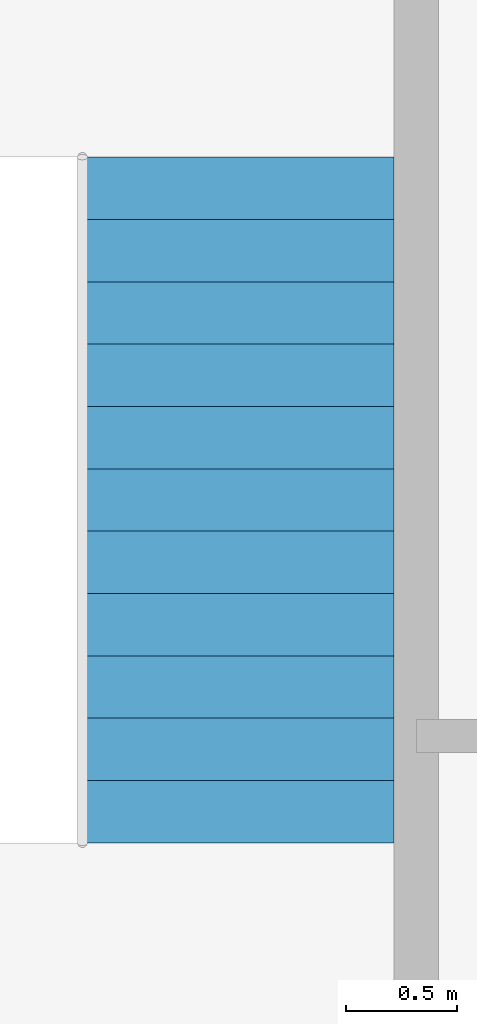
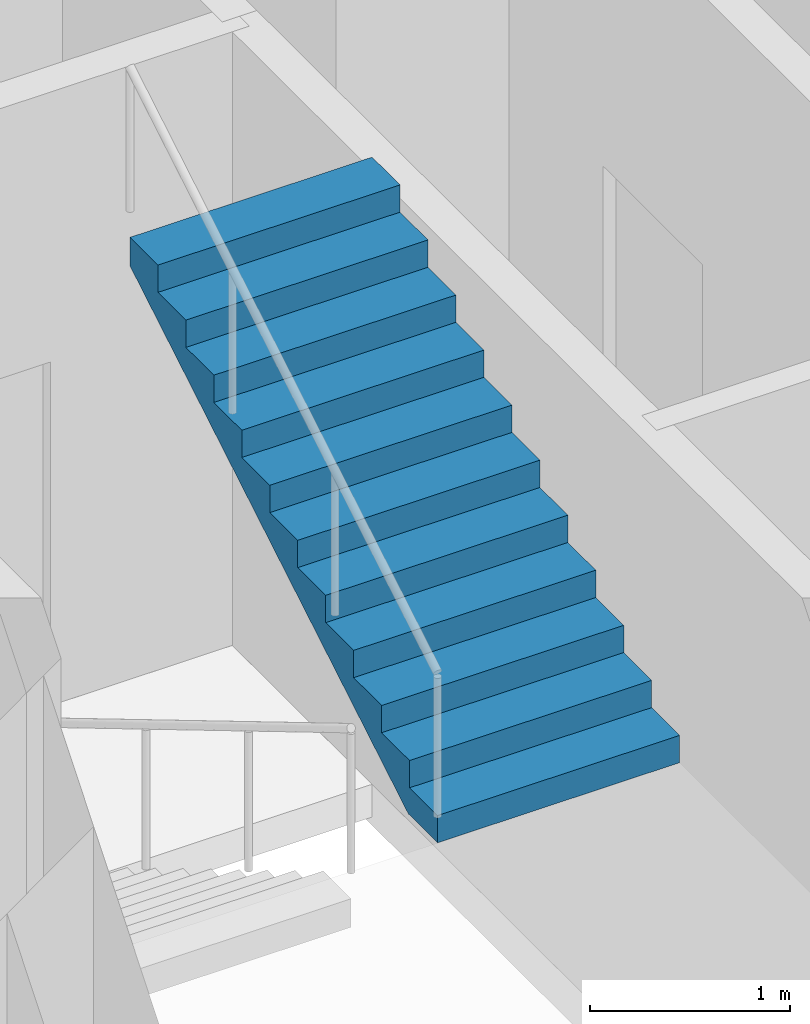
# One storey, part 13 of 18: 1 stair flight, 1 element without a shape of its own.
"""IFC4 building model written with IfcOpenShell, lengths in metres."""

from ifc_helpers import new_model, si_unit, direction, frame, origin, place, context, subcontext, project, spatial, polyline, outline, extrude, material, type_object, element, aggregate, save


model = new_model("IFC4")

# Units and contexts
model_context = context("Model", 3, precision=1e-05, world=origin(), true_north=direction((0.0, 1.0)))
body_context = subcontext(model_context, "Body", "Model", "MODEL_VIEW")
ifc_project = project(units=[si_unit("LENGTHUNIT", "METRE"), si_unit("AREAUNIT", "SQUARE_METRE"), si_unit("VOLUMEUNIT", "CUBIC_METRE"), si_unit("PLANEANGLEUNIT", "RADIAN"), si_unit("MASSUNIT", "GRAM", prefix="KILO")], contexts=[model_context])

# Site, building, storey
site_placement = place(None, origin())
site = spatial("IfcSite", under=ifc_project, at=site_placement, CompositionType="ELEMENT")
building_placement = place(site_placement, origin())
building = spatial("IfcBuilding", under=site, at=building_placement, Name="Malebo Sky Hospital", CompositionType="ELEMENT")
storey_placement = place(building_placement, frame((0.0, 0.0, 124.0)))
storey = spatial("IfcBuildingStorey", under=building, at=storey_placement, Name="L29", CompositionType="ELEMENT", Elevation=124.0)

# Stair, stair flight
ifc_material = material(Name="Concrete C40/50", Category="concrete")
stair_type = type_object("IfcStairType", Name="HALF-TURN STAIR 1400 R167", PredefinedType="HALF_TURN_STAIR", material=ifc_material)
stair_placement = place(storey_placement, origin())
stair = element("IfcStair", 1, at=stair_placement, inside=storey, type_object=stair_type, Name="Stair S3 L29 type ST1B", PredefinedType="HALF_TURN_STAIR")
stair_flight_type = type_object("IfcStairFlightType", Name="STAIR FLIGHT 1400 R167", PredefinedType="STRAIGHT", material=ifc_material)
stair_flight_placement = place(storey_placement, frame((71.699951171875, 70.52001953125, 2.0), z_axis=(0.0, 0.0, 1.0), x_axis=(0.0, 1.0, 0.0)))
stair_flight = element("IfcStairFlight", 2, at=stair_flight_placement, type_object=stair_flight_type, Name="S3 flight 2 type SF1B", NumberOfRisers=12, NumberOfTreads=11, PredefinedType="STRAIGHT", RiserHeight=0.166666667, TreadLength=0.28, context=body_context, shape_type="SweptSolid", body=[
    extrude(outline(polyline([(0.0, 0.0), (0.0, 0.166748046875), (0.280029296875, 0.166748046875), (0.280029296875, 0.333251953125), (0.56005859375, 0.333251953125), (0.56005859375, 0.5), (0.840087890625, 0.5), (0.840087890625, 0.666748046875), (1.1201171875, 0.666748046875), (1.1201171875, 0.833251953125), (1.39990234375, 0.833251953125), (1.39990234375, 1.0), (1.679931640625, 1.0), (1.679931640625, 1.166748046875), (1.9599609375, 1.166748046875), (1.9599609375, 1.333251953125), (2.239990234375, 1.333251953125), (2.239990234375, 1.5), (2.52001953125, 1.5), (2.52001953125, 1.666748046875), (2.800048828125, 1.666748046875), (2.800048828125, 1.833251953125), (3.080078125, 1.833251953125), (3.080078125, 2.0), (3.080078125, 1.658935546875), (0.29296875, 0.0), (0.0, 0.0)])), frame((0.0, 0.699951171875, 0.0), z_axis=(0.0, -1.0, 0.0), x_axis=(1.0, 0.0, 0.0)), (0.0, 0.0, 1.0), 1.39990234375),
])
aggregate(stair, [stair_flight])

save(model, "model.ifc")
